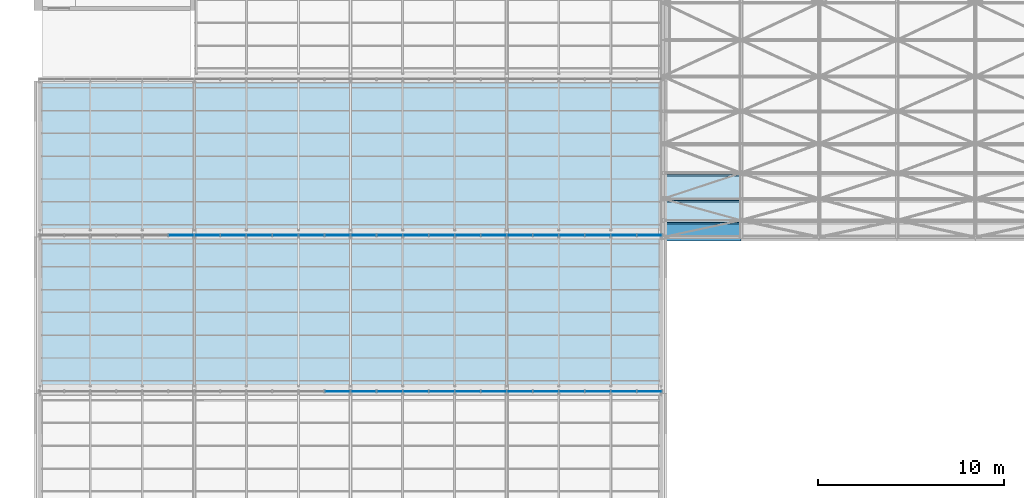
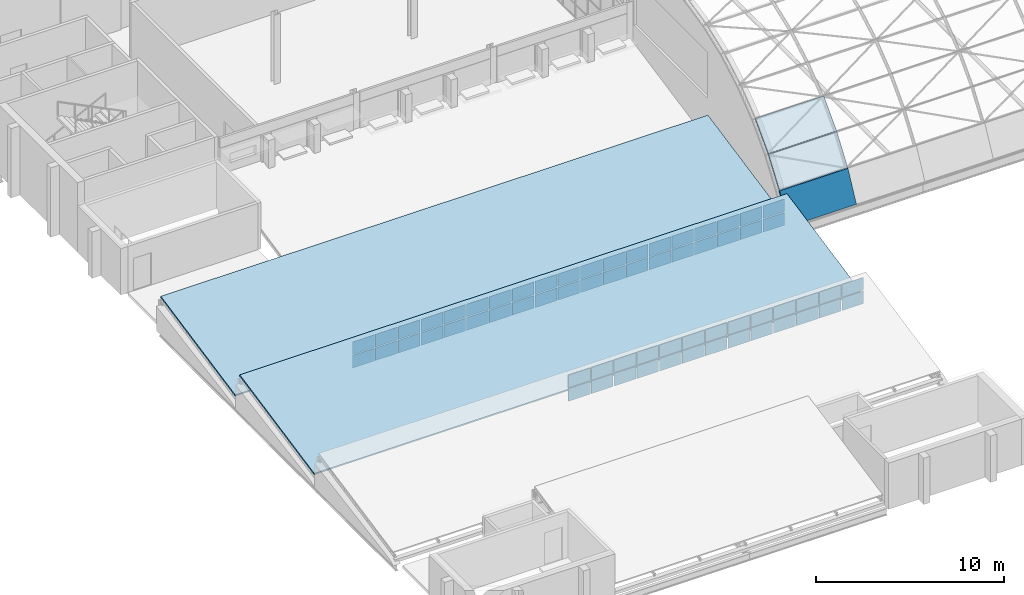
# One storey, part 69 of 121: 67 plates, 2 slabs, 2 elements without a shape of their own.
"""IFC4 building model written with IfcOpenShell, lengths in metres."""

from ifc_helpers import new_model, si_unit, direction, frame, origin, origin_2d, place, context, subcontext, project, spatial, polyline, rectangle, outline, extrude, material, layer, layer_set, type_object, element, aggregate, save


model = new_model("IFC4")

# Units and contexts
model_context = context("Model", 3, precision=1e-05, world=origin(), true_north=direction((0.0, 1.0)))
body_context = subcontext(model_context, "Body", "Model", "MODEL_VIEW")
ifc_project = project(units=[si_unit("LENGTHUNIT", "METRE"), si_unit("AREAUNIT", "SQUARE_METRE"), si_unit("VOLUMEUNIT", "CUBIC_METRE"), si_unit("PLANEANGLEUNIT", "RADIAN"), si_unit("MASSUNIT", "GRAM", prefix="KILO")], contexts=[model_context])

# Site, building, storey
site_placement = place(None, origin())
site = spatial("IfcSite", under=ifc_project, at=site_placement, CompositionType="ELEMENT")
building_placement = place(site_placement, origin())
building = spatial("IfcBuilding", under=site, at=building_placement, Name="Ardhachandra Cancer Care Centre", CompositionType="ELEMENT")
storey_placement = place(building_placement, frame((0.0, 0.0, 9.0)))
storey = spatial("IfcBuildingStorey", under=building, at=storey_placement, Name="L02", CompositionType="ELEMENT", Elevation=9.0)

# Curtain wall, plates
ifc_material_1 = material(Name="Aluminium extrusion", Category="aluminium")
ifc_layer_1 = layer(ifc_material_1, 0.14990234375)
ifc_layer_set_1 = layer_set([ifc_layer_1], Name="Aluminium extrusion")
curtain_wall_type = type_object("IfcCurtainWallType", Name="Curtain wall run", PredefinedType="NOTDEFINED", material=ifc_layer_set_1)
curtain_wall_1_placement = place(storey_placement, origin())
curtain_wall_1 = element("IfcCurtainWall", 1, at=curtain_wall_1_placement, inside=storey, type_object=curtain_wall_type, Name="Curtain wall L02 n/0010800_0046300", PredefinedType="NOTDEFINED")
ifc_material_2 = material(Name="Low-iron double-glazed unit")
ifc_layer_2 = layer(ifc_material_2, 0.028076171875)
ifc_layer_set_2 = layer_set([ifc_layer_2], Name="Low-iron double-glazed unit")
plate_type_1 = type_object("IfcPlateType", Name="Curtain wall glazing 28", PredefinedType="CURTAIN_PANEL", material=ifc_layer_set_2)
plate_1_placement = place(storey_placement, frame((26.89990234375, 46.300048828125, 0.93994140625), z_axis=(0.0, 0.0, 1.0), x_axis=(1.0, 0.0, 0.0)))
plate_1 = element("IfcPlate", 2, at=plate_1_placement, type_object=plate_type_1, Name="CW panel 12.2", PredefinedType="CURTAIN_PANEL", context=body_context, shape_type="SweptSolid", body=[
    extrude(rectangle(XDim=1.340087890625, YDim=0.028076171875, at=origin_2d()), origin(), (0.0, 0.0, 1.0), 0.820068359375),
])
plate_2_placement = place(storey_placement, frame((28.300048828125, 46.300048828125, 0.93994140625), z_axis=(0.0, 0.0, 1.0), x_axis=(1.0, 0.0, 0.0)))
plate_2 = element("IfcPlate", 3, at=plate_2_placement, type_object=plate_type_1, Name="CW panel 13.2", PredefinedType="CURTAIN_PANEL", context=body_context, shape_type="SweptSolid", body=[
    extrude(rectangle(XDim=1.340087890625, YDim=0.028076171875, at=origin_2d()), origin(), (0.0, 0.0, 1.0), 0.820068359375),
])
plate_3_placement = place(storey_placement, frame((29.699951171875, 46.300048828125, 0.93994140625), z_axis=(0.0, 0.0, 1.0), x_axis=(1.0, 0.0, 0.0)))
plate_3 = element("IfcPlate", 4, at=plate_3_placement, type_object=plate_type_1, Name="CW panel 14.2", PredefinedType="CURTAIN_PANEL", context=body_context, shape_type="SweptSolid", body=[
    extrude(rectangle(XDim=1.340087890625, YDim=0.028076171875, at=origin_2d()), origin(), (0.0, 0.0, 1.0), 0.820068359375),
])
plate_4_placement = place(storey_placement, frame((31.10009765625, 46.300048828125, 0.93994140625), z_axis=(0.0, 0.0, 1.0), x_axis=(1.0, 0.0, 0.0)))
plate_4 = element("IfcPlate", 5, at=plate_4_placement, type_object=plate_type_1, Name="CW panel 15.2", PredefinedType="CURTAIN_PANEL", context=body_context, shape_type="SweptSolid", body=[
    extrude(rectangle(XDim=1.340087890625, YDim=0.028076171875, at=origin_2d()), origin(), (0.0, 0.0, 1.0), 0.820068359375),
])
plate_5_placement = place(storey_placement, frame((32.5, 46.300048828125, 0.93994140625), z_axis=(0.0, 0.0, 1.0), x_axis=(1.0, 0.0, 0.0)))
plate_5 = element("IfcPlate", 6, at=plate_5_placement, type_object=plate_type_1, Name="CW panel 16.2", PredefinedType="CURTAIN_PANEL", context=body_context, shape_type="SweptSolid", body=[
    extrude(rectangle(XDim=1.340087890625, YDim=0.028076171875, at=origin_2d()), origin(), (0.0, 0.0, 1.0), 0.820068359375),
])
plate_6_placement = place(storey_placement, frame((33.89990234375, 46.300048828125, 0.93994140625), z_axis=(0.0, 0.0, 1.0), x_axis=(1.0, 0.0, 0.0)))
plate_6 = element("IfcPlate", 7, at=plate_6_placement, type_object=plate_type_1, Name="CW panel 17.2", PredefinedType="CURTAIN_PANEL", context=body_context, shape_type="SweptSolid", body=[
    extrude(rectangle(XDim=1.340087890625, YDim=0.028076171875, at=origin_2d()), origin(), (0.0, 0.0, 1.0), 0.820068359375),
])
plate_7_placement = place(storey_placement, frame((35.300048828125, 46.300048828125, 0.93994140625), z_axis=(0.0, 0.0, 1.0), x_axis=(1.0, 0.0, 0.0)))
plate_7 = element("IfcPlate", 8, at=plate_7_placement, type_object=plate_type_1, Name="CW panel 18.2", PredefinedType="CURTAIN_PANEL", context=body_context, shape_type="SweptSolid", body=[
    extrude(rectangle(XDim=1.340087890625, YDim=0.028076171875, at=origin_2d()), origin(), (0.0, 0.0, 1.0), 0.820068359375),
])
plate_8_placement = place(storey_placement, frame((36.699951171875, 46.300048828125, 0.93994140625), z_axis=(0.0, 0.0, 1.0), x_axis=(1.0, 0.0, 0.0)))
plate_8 = element("IfcPlate", 9, at=plate_8_placement, type_object=plate_type_1, Name="CW panel 19.2", PredefinedType="CURTAIN_PANEL", context=body_context, shape_type="SweptSolid", body=[
    extrude(rectangle(XDim=1.340087890625, YDim=0.028076171875, at=origin_2d()), origin(), (0.0, 0.0, 1.0), 0.820068359375),
])
plate_9_placement = place(storey_placement, frame((38.10009765625, 46.300048828125, 0.93994140625), z_axis=(0.0, 0.0, 1.0), x_axis=(1.0, 0.0, 0.0)))
plate_9 = element("IfcPlate", 10, at=plate_9_placement, type_object=plate_type_1, Name="CW panel 20.2", PredefinedType="CURTAIN_PANEL", context=body_context, shape_type="SweptSolid", body=[
    extrude(rectangle(XDim=1.340087890625, YDim=0.028076171875, at=origin_2d()), origin(), (0.0, 0.0, 1.0), 0.820068359375),
])
plate_10_placement = place(storey_placement, frame((39.5, 46.300048828125, 0.93994140625), z_axis=(0.0, 0.0, 1.0), x_axis=(1.0, 0.0, 0.0)))
plate_10 = element("IfcPlate", 11, at=plate_10_placement, type_object=plate_type_1, Name="CW panel 21.2", PredefinedType="CURTAIN_PANEL", context=body_context, shape_type="SweptSolid", body=[
    extrude(rectangle(XDim=1.340087890625, YDim=0.028076171875, at=origin_2d()), origin(), (0.0, 0.0, 1.0), 0.820068359375),
])
plate_11_placement = place(storey_placement, frame((40.89990234375, 46.300048828125, 0.93994140625), z_axis=(0.0, 0.0, 1.0), x_axis=(1.0, 0.0, 0.0)))
plate_11 = element("IfcPlate", 12, at=plate_11_placement, type_object=plate_type_1, Name="CW panel 22.2", PredefinedType="CURTAIN_PANEL", context=body_context, shape_type="SweptSolid", body=[
    extrude(rectangle(XDim=1.340087890625, YDim=0.028076171875, at=origin_2d()), origin(), (0.0, 0.0, 1.0), 0.820068359375),
])
plate_12_placement = place(storey_placement, frame((42.300048828125, 46.300048828125, 0.93994140625), z_axis=(0.0, 0.0, 1.0), x_axis=(1.0, 0.0, 0.0)))
plate_12 = element("IfcPlate", 13, at=plate_12_placement, type_object=plate_type_1, Name="CW panel 23.2", PredefinedType="CURTAIN_PANEL", context=body_context, shape_type="SweptSolid", body=[
    extrude(rectangle(XDim=1.340087890625, YDim=0.028076171875, at=origin_2d()), origin(), (0.0, 0.0, 1.0), 0.820068359375),
])
plate_13_placement = place(storey_placement, frame((43.68505859375, 46.300048828125, 0.93994140625), z_axis=(0.0, 0.0, 1.0), x_axis=(1.0, 0.0, 0.0)))
plate_13 = element("IfcPlate", 14, at=plate_13_placement, type_object=plate_type_1, Name="CW panel 24.2", PredefinedType="CURTAIN_PANEL", context=body_context, shape_type="SweptSolid", body=[
    extrude(rectangle(XDim=1.31005859375, YDim=0.028076171875, at=origin_2d()), origin(), (0.0, 0.0, 1.0), 0.820068359375),
])

curtain_wall_2_placement = place(storey_placement, origin())
curtain_wall_2 = element("IfcCurtainWall", 15, at=curtain_wall_2_placement, inside=storey, type_object=curtain_wall_type, Name="Curtain wall L02 n/0010800_0054700", PredefinedType="NOTDEFINED")
plate_14_placement = place(storey_placement, frame((18.5, 54.699951171875, 0.93994140625), z_axis=(0.0, 0.0, 1.0), x_axis=(1.0, 0.0, 0.0)))
plate_14 = element("IfcPlate", 16, at=plate_14_placement, type_object=plate_type_1, Name="CW panel 6.2", PredefinedType="CURTAIN_PANEL", context=body_context, shape_type="SweptSolid", body=[
    extrude(rectangle(XDim=1.340087890625, YDim=0.028076171875, at=origin_2d()), origin(), (0.0, 0.0, 1.0), 0.820068359375),
])
plate_15_placement = place(storey_placement, frame((19.89990234375, 54.699951171875, 0.93994140625), z_axis=(0.0, 0.0, 1.0), x_axis=(1.0, 0.0, 0.0)))
plate_15 = element("IfcPlate", 17, at=plate_15_placement, type_object=plate_type_1, Name="CW panel 7.2", PredefinedType="CURTAIN_PANEL", context=body_context, shape_type="SweptSolid", body=[
    extrude(rectangle(XDim=1.340087890625, YDim=0.028076171875, at=origin_2d()), origin(), (0.0, 0.0, 1.0), 0.820068359375),
])
plate_16_placement = place(storey_placement, frame((21.300048828125, 54.699951171875, 0.93994140625), z_axis=(0.0, 0.0, 1.0), x_axis=(1.0, 0.0, 0.0)))
plate_16 = element("IfcPlate", 18, at=plate_16_placement, type_object=plate_type_1, Name="CW panel 8.2", PredefinedType="CURTAIN_PANEL", context=body_context, shape_type="SweptSolid", body=[
    extrude(rectangle(XDim=1.340087890625, YDim=0.028076171875, at=origin_2d()), origin(), (0.0, 0.0, 1.0), 0.820068359375),
])
plate_17_placement = place(storey_placement, frame((22.699951171875, 54.699951171875, 0.93994140625), z_axis=(0.0, 0.0, 1.0), x_axis=(1.0, 0.0, 0.0)))
plate_17 = element("IfcPlate", 19, at=plate_17_placement, type_object=plate_type_1, Name="CW panel 9.2", PredefinedType="CURTAIN_PANEL", context=body_context, shape_type="SweptSolid", body=[
    extrude(rectangle(XDim=1.340087890625, YDim=0.028076171875, at=origin_2d()), origin(), (0.0, 0.0, 1.0), 0.820068359375),
])
plate_18_placement = place(storey_placement, frame((24.10009765625, 54.699951171875, 0.93994140625), z_axis=(0.0, 0.0, 1.0), x_axis=(1.0, 0.0, 0.0)))
plate_18 = element("IfcPlate", 20, at=plate_18_placement, type_object=plate_type_1, Name="CW panel 10.2", PredefinedType="CURTAIN_PANEL", context=body_context, shape_type="SweptSolid", body=[
    extrude(rectangle(XDim=1.340087890625, YDim=0.028076171875, at=origin_2d()), origin(), (0.0, 0.0, 1.0), 0.820068359375),
])
plate_19_placement = place(storey_placement, frame((25.5, 54.699951171875, 0.93994140625), z_axis=(0.0, 0.0, 1.0), x_axis=(1.0, 0.0, 0.0)))
plate_19 = element("IfcPlate", 21, at=plate_19_placement, type_object=plate_type_1, Name="CW panel 11.2", PredefinedType="CURTAIN_PANEL", context=body_context, shape_type="SweptSolid", body=[
    extrude(rectangle(XDim=1.340087890625, YDim=0.028076171875, at=origin_2d()), origin(), (0.0, 0.0, 1.0), 0.820068359375),
])
plate_20_placement = place(storey_placement, frame((26.89990234375, 54.699951171875, 0.93994140625), z_axis=(0.0, 0.0, 1.0), x_axis=(1.0, 0.0, 0.0)))
plate_20 = element("IfcPlate", 22, at=plate_20_placement, type_object=plate_type_1, Name="CW panel 12.2", PredefinedType="CURTAIN_PANEL", context=body_context, shape_type="SweptSolid", body=[
    extrude(rectangle(XDim=1.340087890625, YDim=0.028076171875, at=origin_2d()), origin(), (0.0, 0.0, 1.0), 0.820068359375),
])
plate_21_placement = place(storey_placement, frame((28.300048828125, 54.699951171875, 0.93994140625), z_axis=(0.0, 0.0, 1.0), x_axis=(1.0, 0.0, 0.0)))
plate_21 = element("IfcPlate", 23, at=plate_21_placement, type_object=plate_type_1, Name="CW panel 13.2", PredefinedType="CURTAIN_PANEL", context=body_context, shape_type="SweptSolid", body=[
    extrude(rectangle(XDim=1.340087890625, YDim=0.028076171875, at=origin_2d()), origin(), (0.0, 0.0, 1.0), 0.820068359375),
])
plate_22_placement = place(storey_placement, frame((29.699951171875, 54.699951171875, 0.93994140625), z_axis=(0.0, 0.0, 1.0), x_axis=(1.0, 0.0, 0.0)))
plate_22 = element("IfcPlate", 24, at=plate_22_placement, type_object=plate_type_1, Name="CW panel 14.2", PredefinedType="CURTAIN_PANEL", context=body_context, shape_type="SweptSolid", body=[
    extrude(rectangle(XDim=1.340087890625, YDim=0.028076171875, at=origin_2d()), origin(), (0.0, 0.0, 1.0), 0.820068359375),
])
plate_23_placement = place(storey_placement, frame((31.10009765625, 54.699951171875, 0.93994140625), z_axis=(0.0, 0.0, 1.0), x_axis=(1.0, 0.0, 0.0)))
plate_23 = element("IfcPlate", 25, at=plate_23_placement, type_object=plate_type_1, Name="CW panel 15.2", PredefinedType="CURTAIN_PANEL", context=body_context, shape_type="SweptSolid", body=[
    extrude(rectangle(XDim=1.340087890625, YDim=0.028076171875, at=origin_2d()), origin(), (0.0, 0.0, 1.0), 0.820068359375),
])
plate_24_placement = place(storey_placement, frame((32.5, 54.699951171875, 0.93994140625), z_axis=(0.0, 0.0, 1.0), x_axis=(1.0, 0.0, 0.0)))
plate_24 = element("IfcPlate", 26, at=plate_24_placement, type_object=plate_type_1, Name="CW panel 16.2", PredefinedType="CURTAIN_PANEL", context=body_context, shape_type="SweptSolid", body=[
    extrude(rectangle(XDim=1.340087890625, YDim=0.028076171875, at=origin_2d()), origin(), (0.0, 0.0, 1.0), 0.820068359375),
])
plate_25_placement = place(storey_placement, frame((33.89990234375, 54.699951171875, 0.93994140625), z_axis=(0.0, 0.0, 1.0), x_axis=(1.0, 0.0, 0.0)))
plate_25 = element("IfcPlate", 27, at=plate_25_placement, type_object=plate_type_1, Name="CW panel 17.2", PredefinedType="CURTAIN_PANEL", context=body_context, shape_type="SweptSolid", body=[
    extrude(rectangle(XDim=1.340087890625, YDim=0.028076171875, at=origin_2d()), origin(), (0.0, 0.0, 1.0), 0.820068359375),
])
plate_26_placement = place(storey_placement, frame((35.300048828125, 54.699951171875, 0.93994140625), z_axis=(0.0, 0.0, 1.0), x_axis=(1.0, 0.0, 0.0)))
plate_26 = element("IfcPlate", 28, at=plate_26_placement, type_object=plate_type_1, Name="CW panel 18.2", PredefinedType="CURTAIN_PANEL", context=body_context, shape_type="SweptSolid", body=[
    extrude(rectangle(XDim=1.340087890625, YDim=0.028076171875, at=origin_2d()), origin(), (0.0, 0.0, 1.0), 0.820068359375),
])
plate_27_placement = place(storey_placement, frame((36.699951171875, 54.699951171875, 0.93994140625), z_axis=(0.0, 0.0, 1.0), x_axis=(1.0, 0.0, 0.0)))
plate_27 = element("IfcPlate", 29, at=plate_27_placement, type_object=plate_type_1, Name="CW panel 19.2", PredefinedType="CURTAIN_PANEL", context=body_context, shape_type="SweptSolid", body=[
    extrude(rectangle(XDim=1.340087890625, YDim=0.028076171875, at=origin_2d()), origin(), (0.0, 0.0, 1.0), 0.820068359375),
])
plate_28_placement = place(storey_placement, frame((38.10009765625, 54.699951171875, 0.93994140625), z_axis=(0.0, 0.0, 1.0), x_axis=(1.0, 0.0, 0.0)))
plate_28 = element("IfcPlate", 30, at=plate_28_placement, type_object=plate_type_1, Name="CW panel 20.2", PredefinedType="CURTAIN_PANEL", context=body_context, shape_type="SweptSolid", body=[
    extrude(rectangle(XDim=1.340087890625, YDim=0.028076171875, at=origin_2d()), origin(), (0.0, 0.0, 1.0), 0.820068359375),
])
plate_29_placement = place(storey_placement, frame((39.5, 54.699951171875, 0.93994140625), z_axis=(0.0, 0.0, 1.0), x_axis=(1.0, 0.0, 0.0)))
plate_29 = element("IfcPlate", 31, at=plate_29_placement, type_object=plate_type_1, Name="CW panel 21.2", PredefinedType="CURTAIN_PANEL", context=body_context, shape_type="SweptSolid", body=[
    extrude(rectangle(XDim=1.340087890625, YDim=0.028076171875, at=origin_2d()), origin(), (0.0, 0.0, 1.0), 0.820068359375),
])
plate_30_placement = place(storey_placement, frame((40.89990234375, 54.699951171875, 0.93994140625), z_axis=(0.0, 0.0, 1.0), x_axis=(1.0, 0.0, 0.0)))
plate_30 = element("IfcPlate", 32, at=plate_30_placement, type_object=plate_type_1, Name="CW panel 22.2", PredefinedType="CURTAIN_PANEL", context=body_context, shape_type="SweptSolid", body=[
    extrude(rectangle(XDim=1.340087890625, YDim=0.028076171875, at=origin_2d()), origin(), (0.0, 0.0, 1.0), 0.820068359375),
])
plate_31_placement = place(storey_placement, frame((42.300048828125, 54.699951171875, 0.93994140625), z_axis=(0.0, 0.0, 1.0), x_axis=(1.0, 0.0, 0.0)))
plate_31 = element("IfcPlate", 33, at=plate_31_placement, type_object=plate_type_1, Name="CW panel 23.2", PredefinedType="CURTAIN_PANEL", context=body_context, shape_type="SweptSolid", body=[
    extrude(rectangle(XDim=1.340087890625, YDim=0.028076171875, at=origin_2d()), origin(), (0.0, 0.0, 1.0), 0.820068359375),
])
plate_32_placement = place(storey_placement, frame((43.68505859375, 54.699951171875, 0.93994140625), z_axis=(0.0, 0.0, 1.0), x_axis=(1.0, 0.0, 0.0)))
plate_32 = element("IfcPlate", 34, at=plate_32_placement, type_object=plate_type_1, Name="CW panel 24.2", PredefinedType="CURTAIN_PANEL", context=body_context, shape_type="SweptSolid", body=[
    extrude(rectangle(XDim=1.31005859375, YDim=0.028076171875, at=origin_2d()), origin(), (0.0, 0.0, 1.0), 0.820068359375),
])

# Plate
ifc_material_3 = material(Name="Aluminium composite spandrel panel", Category="aluminium")
ifc_layer_3 = layer(ifc_material_3, 0.028076171875)
ifc_layer_set_3 = layer_set([ifc_layer_3], Name="Aluminium composite spandrel panel")
plate_type_2 = type_object("IfcPlateType", Name="Curtain wall spandrel panel 28", PredefinedType="CURTAIN_PANEL", material=ifc_layer_set_3)
plate_33_placement = place(storey_placement, frame((26.89990234375, 46.300048828125, 0.06005859375), z_axis=(0.0, 0.0, 1.0), x_axis=(1.0, 0.0, 0.0)))
plate_33 = element("IfcPlate", 35, at=plate_33_placement, type_object=plate_type_2, Name="CW panel 12.1", PredefinedType="CURTAIN_PANEL", context=body_context, shape_type="SweptSolid", body=[
    extrude(rectangle(XDim=1.340087890625, YDim=0.028076171875, at=origin_2d()), origin(), (0.0, 0.0, 1.0), 0.820068359375),
])

plate_34_placement = place(storey_placement, frame((28.300048828125, 46.300048828125, 0.06005859375), z_axis=(0.0, 0.0, 1.0), x_axis=(1.0, 0.0, 0.0)))
plate_34 = element("IfcPlate", 36, at=plate_34_placement, type_object=plate_type_2, Name="CW panel 13.1", PredefinedType="CURTAIN_PANEL", context=body_context, shape_type="SweptSolid", body=[
    extrude(rectangle(XDim=1.340087890625, YDim=0.028076171875, at=origin_2d()), origin(), (0.0, 0.0, 1.0), 0.820068359375),
])

plate_35_placement = place(storey_placement, frame((29.699951171875, 46.300048828125, 0.06005859375), z_axis=(0.0, 0.0, 1.0), x_axis=(1.0, 0.0, 0.0)))
plate_35 = element("IfcPlate", 37, at=plate_35_placement, type_object=plate_type_2, Name="CW panel 14.1", PredefinedType="CURTAIN_PANEL", context=body_context, shape_type="SweptSolid", body=[
    extrude(rectangle(XDim=1.340087890625, YDim=0.028076171875, at=origin_2d()), origin(), (0.0, 0.0, 1.0), 0.820068359375),
])

plate_36_placement = place(storey_placement, frame((31.10009765625, 46.300048828125, 0.06005859375), z_axis=(0.0, 0.0, 1.0), x_axis=(1.0, 0.0, 0.0)))
plate_36 = element("IfcPlate", 38, at=plate_36_placement, type_object=plate_type_2, Name="CW panel 15.1", PredefinedType="CURTAIN_PANEL", context=body_context, shape_type="SweptSolid", body=[
    extrude(rectangle(XDim=1.340087890625, YDim=0.028076171875, at=origin_2d()), origin(), (0.0, 0.0, 1.0), 0.820068359375),
])

plate_37_placement = place(storey_placement, frame((32.5, 46.300048828125, 0.06005859375), z_axis=(0.0, 0.0, 1.0), x_axis=(1.0, 0.0, 0.0)))
plate_37 = element("IfcPlate", 39, at=plate_37_placement, type_object=plate_type_2, Name="CW panel 16.1", PredefinedType="CURTAIN_PANEL", context=body_context, shape_type="SweptSolid", body=[
    extrude(rectangle(XDim=1.340087890625, YDim=0.028076171875, at=origin_2d()), origin(), (0.0, 0.0, 1.0), 0.820068359375),
])

plate_38_placement = place(storey_placement, frame((33.89990234375, 46.300048828125, 0.06005859375), z_axis=(0.0, 0.0, 1.0), x_axis=(1.0, 0.0, 0.0)))
plate_38 = element("IfcPlate", 40, at=plate_38_placement, type_object=plate_type_2, Name="CW panel 17.1", PredefinedType="CURTAIN_PANEL", context=body_context, shape_type="SweptSolid", body=[
    extrude(rectangle(XDim=1.340087890625, YDim=0.028076171875, at=origin_2d()), origin(), (0.0, 0.0, 1.0), 0.820068359375),
])

plate_39_placement = place(storey_placement, frame((35.300048828125, 46.300048828125, 0.06005859375), z_axis=(0.0, 0.0, 1.0), x_axis=(1.0, 0.0, 0.0)))
plate_39 = element("IfcPlate", 41, at=plate_39_placement, type_object=plate_type_2, Name="CW panel 18.1", PredefinedType="CURTAIN_PANEL", context=body_context, shape_type="SweptSolid", body=[
    extrude(rectangle(XDim=1.340087890625, YDim=0.028076171875, at=origin_2d()), origin(), (0.0, 0.0, 1.0), 0.820068359375),
])

plate_40_placement = place(storey_placement, frame((36.699951171875, 46.300048828125, 0.06005859375), z_axis=(0.0, 0.0, 1.0), x_axis=(1.0, 0.0, 0.0)))
plate_40 = element("IfcPlate", 42, at=plate_40_placement, type_object=plate_type_2, Name="CW panel 19.1", PredefinedType="CURTAIN_PANEL", context=body_context, shape_type="SweptSolid", body=[
    extrude(rectangle(XDim=1.340087890625, YDim=0.028076171875, at=origin_2d()), origin(), (0.0, 0.0, 1.0), 0.820068359375),
])

plate_41_placement = place(storey_placement, frame((38.10009765625, 46.300048828125, 0.06005859375), z_axis=(0.0, 0.0, 1.0), x_axis=(1.0, 0.0, 0.0)))
plate_41 = element("IfcPlate", 43, at=plate_41_placement, type_object=plate_type_2, Name="CW panel 20.1", PredefinedType="CURTAIN_PANEL", context=body_context, shape_type="SweptSolid", body=[
    extrude(rectangle(XDim=1.340087890625, YDim=0.028076171875, at=origin_2d()), origin(), (0.0, 0.0, 1.0), 0.820068359375),
])

plate_42_placement = place(storey_placement, frame((39.5, 46.300048828125, 0.06005859375), z_axis=(0.0, 0.0, 1.0), x_axis=(1.0, 0.0, 0.0)))
plate_42 = element("IfcPlate", 44, at=plate_42_placement, type_object=plate_type_2, Name="CW panel 21.1", PredefinedType="CURTAIN_PANEL", context=body_context, shape_type="SweptSolid", body=[
    extrude(rectangle(XDim=1.340087890625, YDim=0.028076171875, at=origin_2d()), origin(), (0.0, 0.0, 1.0), 0.820068359375),
])

plate_43_placement = place(storey_placement, frame((40.89990234375, 46.300048828125, 0.06005859375), z_axis=(0.0, 0.0, 1.0), x_axis=(1.0, 0.0, 0.0)))
plate_43 = element("IfcPlate", 45, at=plate_43_placement, type_object=plate_type_2, Name="CW panel 22.1", PredefinedType="CURTAIN_PANEL", context=body_context, shape_type="SweptSolid", body=[
    extrude(rectangle(XDim=1.340087890625, YDim=0.028076171875, at=origin_2d()), origin(), (0.0, 0.0, 1.0), 0.820068359375),
])

plate_44_placement = place(storey_placement, frame((42.300048828125, 46.300048828125, 0.06005859375), z_axis=(0.0, 0.0, 1.0), x_axis=(1.0, 0.0, 0.0)))
plate_44 = element("IfcPlate", 46, at=plate_44_placement, type_object=plate_type_2, Name="CW panel 23.1", PredefinedType="CURTAIN_PANEL", context=body_context, shape_type="SweptSolid", body=[
    extrude(rectangle(XDim=1.340087890625, YDim=0.028076171875, at=origin_2d()), origin(), (0.0, 0.0, 1.0), 0.820068359375),
])

plate_45_placement = place(storey_placement, frame((43.68505859375, 46.300048828125, 0.06005859375), z_axis=(0.0, 0.0, 1.0), x_axis=(1.0, 0.0, 0.0)))
plate_45 = element("IfcPlate", 47, at=plate_45_placement, type_object=plate_type_2, Name="CW panel 24.1", PredefinedType="CURTAIN_PANEL", context=body_context, shape_type="SweptSolid", body=[
    extrude(rectangle(XDim=1.31005859375, YDim=0.028076171875, at=origin_2d()), origin(), (0.0, 0.0, 1.0), 0.820068359375),
])

aggregate(curtain_wall_1, [plate_33, plate_1, plate_34, plate_2, plate_35, plate_3, plate_36, plate_4, plate_37, plate_5, plate_38, plate_6, plate_39, plate_7, plate_40, plate_8, plate_41, plate_9, plate_42, plate_10, plate_43, plate_11, plate_44, plate_12, plate_45, plate_13])

plate_46_placement = place(storey_placement, frame((18.5, 54.699951171875, 0.06005859375), z_axis=(0.0, 0.0, 1.0), x_axis=(1.0, 0.0, 0.0)))
plate_46 = element("IfcPlate", 48, at=plate_46_placement, type_object=plate_type_2, Name="CW panel 6.1", PredefinedType="CURTAIN_PANEL", context=body_context, shape_type="SweptSolid", body=[
    extrude(rectangle(XDim=1.340087890625, YDim=0.028076171875, at=origin_2d()), origin(), (0.0, 0.0, 1.0), 0.820068359375),
])

plate_47_placement = place(storey_placement, frame((19.89990234375, 54.699951171875, 0.06005859375), z_axis=(0.0, 0.0, 1.0), x_axis=(1.0, 0.0, 0.0)))
plate_47 = element("IfcPlate", 49, at=plate_47_placement, type_object=plate_type_2, Name="CW panel 7.1", PredefinedType="CURTAIN_PANEL", context=body_context, shape_type="SweptSolid", body=[
    extrude(rectangle(XDim=1.340087890625, YDim=0.028076171875, at=origin_2d()), origin(), (0.0, 0.0, 1.0), 0.820068359375),
])

plate_48_placement = place(storey_placement, frame((21.300048828125, 54.699951171875, 0.06005859375), z_axis=(0.0, 0.0, 1.0), x_axis=(1.0, 0.0, 0.0)))
plate_48 = element("IfcPlate", 50, at=plate_48_placement, type_object=plate_type_2, Name="CW panel 8.1", PredefinedType="CURTAIN_PANEL", context=body_context, shape_type="SweptSolid", body=[
    extrude(rectangle(XDim=1.340087890625, YDim=0.028076171875, at=origin_2d()), origin(), (0.0, 0.0, 1.0), 0.820068359375),
])

plate_49_placement = place(storey_placement, frame((22.699951171875, 54.699951171875, 0.06005859375), z_axis=(0.0, 0.0, 1.0), x_axis=(1.0, 0.0, 0.0)))
plate_49 = element("IfcPlate", 51, at=plate_49_placement, type_object=plate_type_2, Name="CW panel 9.1", PredefinedType="CURTAIN_PANEL", context=body_context, shape_type="SweptSolid", body=[
    extrude(rectangle(XDim=1.340087890625, YDim=0.028076171875, at=origin_2d()), origin(), (0.0, 0.0, 1.0), 0.820068359375),
])

plate_50_placement = place(storey_placement, frame((24.10009765625, 54.699951171875, 0.06005859375), z_axis=(0.0, 0.0, 1.0), x_axis=(1.0, 0.0, 0.0)))
plate_50 = element("IfcPlate", 52, at=plate_50_placement, type_object=plate_type_2, Name="CW panel 10.1", PredefinedType="CURTAIN_PANEL", context=body_context, shape_type="SweptSolid", body=[
    extrude(rectangle(XDim=1.340087890625, YDim=0.028076171875, at=origin_2d()), origin(), (0.0, 0.0, 1.0), 0.820068359375),
])

plate_51_placement = place(storey_placement, frame((25.5, 54.699951171875, 0.06005859375), z_axis=(0.0, 0.0, 1.0), x_axis=(1.0, 0.0, 0.0)))
plate_51 = element("IfcPlate", 53, at=plate_51_placement, type_object=plate_type_2, Name="CW panel 11.1", PredefinedType="CURTAIN_PANEL", context=body_context, shape_type="SweptSolid", body=[
    extrude(rectangle(XDim=1.340087890625, YDim=0.028076171875, at=origin_2d()), origin(), (0.0, 0.0, 1.0), 0.820068359375),
])

plate_52_placement = place(storey_placement, frame((26.89990234375, 54.699951171875, 0.06005859375), z_axis=(0.0, 0.0, 1.0), x_axis=(1.0, 0.0, 0.0)))
plate_52 = element("IfcPlate", 54, at=plate_52_placement, type_object=plate_type_2, Name="CW panel 12.1", PredefinedType="CURTAIN_PANEL", context=body_context, shape_type="SweptSolid", body=[
    extrude(rectangle(XDim=1.340087890625, YDim=0.028076171875, at=origin_2d()), origin(), (0.0, 0.0, 1.0), 0.820068359375),
])

plate_53_placement = place(storey_placement, frame((28.300048828125, 54.699951171875, 0.06005859375), z_axis=(0.0, 0.0, 1.0), x_axis=(1.0, 0.0, 0.0)))
plate_53 = element("IfcPlate", 55, at=plate_53_placement, type_object=plate_type_2, Name="CW panel 13.1", PredefinedType="CURTAIN_PANEL", context=body_context, shape_type="SweptSolid", body=[
    extrude(rectangle(XDim=1.340087890625, YDim=0.028076171875, at=origin_2d()), origin(), (0.0, 0.0, 1.0), 0.820068359375),
])

plate_54_placement = place(storey_placement, frame((29.699951171875, 54.699951171875, 0.06005859375), z_axis=(0.0, 0.0, 1.0), x_axis=(1.0, 0.0, 0.0)))
plate_54 = element("IfcPlate", 56, at=plate_54_placement, type_object=plate_type_2, Name="CW panel 14.1", PredefinedType="CURTAIN_PANEL", context=body_context, shape_type="SweptSolid", body=[
    extrude(rectangle(XDim=1.340087890625, YDim=0.028076171875, at=origin_2d()), origin(), (0.0, 0.0, 1.0), 0.820068359375),
])

plate_55_placement = place(storey_placement, frame((31.10009765625, 54.699951171875, 0.06005859375), z_axis=(0.0, 0.0, 1.0), x_axis=(1.0, 0.0, 0.0)))
plate_55 = element("IfcPlate", 57, at=plate_55_placement, type_object=plate_type_2, Name="CW panel 15.1", PredefinedType="CURTAIN_PANEL", context=body_context, shape_type="SweptSolid", body=[
    extrude(rectangle(XDim=1.340087890625, YDim=0.028076171875, at=origin_2d()), origin(), (0.0, 0.0, 1.0), 0.820068359375),
])

plate_56_placement = place(storey_placement, frame((32.5, 54.699951171875, 0.06005859375), z_axis=(0.0, 0.0, 1.0), x_axis=(1.0, 0.0, 0.0)))
plate_56 = element("IfcPlate", 58, at=plate_56_placement, type_object=plate_type_2, Name="CW panel 16.1", PredefinedType="CURTAIN_PANEL", context=body_context, shape_type="SweptSolid", body=[
    extrude(rectangle(XDim=1.340087890625, YDim=0.028076171875, at=origin_2d()), origin(), (0.0, 0.0, 1.0), 0.820068359375),
])

plate_57_placement = place(storey_placement, frame((33.89990234375, 54.699951171875, 0.06005859375), z_axis=(0.0, 0.0, 1.0), x_axis=(1.0, 0.0, 0.0)))
plate_57 = element("IfcPlate", 59, at=plate_57_placement, type_object=plate_type_2, Name="CW panel 17.1", PredefinedType="CURTAIN_PANEL", context=body_context, shape_type="SweptSolid", body=[
    extrude(rectangle(XDim=1.340087890625, YDim=0.028076171875, at=origin_2d()), origin(), (0.0, 0.0, 1.0), 0.820068359375),
])

plate_58_placement = place(storey_placement, frame((35.300048828125, 54.699951171875, 0.06005859375), z_axis=(0.0, 0.0, 1.0), x_axis=(1.0, 0.0, 0.0)))
plate_58 = element("IfcPlate", 60, at=plate_58_placement, type_object=plate_type_2, Name="CW panel 18.1", PredefinedType="CURTAIN_PANEL", context=body_context, shape_type="SweptSolid", body=[
    extrude(rectangle(XDim=1.340087890625, YDim=0.028076171875, at=origin_2d()), origin(), (0.0, 0.0, 1.0), 0.820068359375),
])

plate_59_placement = place(storey_placement, frame((36.699951171875, 54.699951171875, 0.06005859375), z_axis=(0.0, 0.0, 1.0), x_axis=(1.0, 0.0, 0.0)))
plate_59 = element("IfcPlate", 61, at=plate_59_placement, type_object=plate_type_2, Name="CW panel 19.1", PredefinedType="CURTAIN_PANEL", context=body_context, shape_type="SweptSolid", body=[
    extrude(rectangle(XDim=1.340087890625, YDim=0.028076171875, at=origin_2d()), origin(), (0.0, 0.0, 1.0), 0.820068359375),
])

plate_60_placement = place(storey_placement, frame((38.10009765625, 54.699951171875, 0.06005859375), z_axis=(0.0, 0.0, 1.0), x_axis=(1.0, 0.0, 0.0)))
plate_60 = element("IfcPlate", 62, at=plate_60_placement, type_object=plate_type_2, Name="CW panel 20.1", PredefinedType="CURTAIN_PANEL", context=body_context, shape_type="SweptSolid", body=[
    extrude(rectangle(XDim=1.340087890625, YDim=0.028076171875, at=origin_2d()), origin(), (0.0, 0.0, 1.0), 0.820068359375),
])

plate_61_placement = place(storey_placement, frame((39.5, 54.699951171875, 0.06005859375), z_axis=(0.0, 0.0, 1.0), x_axis=(1.0, 0.0, 0.0)))
plate_61 = element("IfcPlate", 63, at=plate_61_placement, type_object=plate_type_2, Name="CW panel 21.1", PredefinedType="CURTAIN_PANEL", context=body_context, shape_type="SweptSolid", body=[
    extrude(rectangle(XDim=1.340087890625, YDim=0.028076171875, at=origin_2d()), origin(), (0.0, 0.0, 1.0), 0.820068359375),
])

plate_62_placement = place(storey_placement, frame((40.89990234375, 54.699951171875, 0.06005859375), z_axis=(0.0, 0.0, 1.0), x_axis=(1.0, 0.0, 0.0)))
plate_62 = element("IfcPlate", 64, at=plate_62_placement, type_object=plate_type_2, Name="CW panel 22.1", PredefinedType="CURTAIN_PANEL", context=body_context, shape_type="SweptSolid", body=[
    extrude(rectangle(XDim=1.340087890625, YDim=0.028076171875, at=origin_2d()), origin(), (0.0, 0.0, 1.0), 0.820068359375),
])

plate_63_placement = place(storey_placement, frame((42.300048828125, 54.699951171875, 0.06005859375), z_axis=(0.0, 0.0, 1.0), x_axis=(1.0, 0.0, 0.0)))
plate_63 = element("IfcPlate", 65, at=plate_63_placement, type_object=plate_type_2, Name="CW panel 23.1", PredefinedType="CURTAIN_PANEL", context=body_context, shape_type="SweptSolid", body=[
    extrude(rectangle(XDim=1.340087890625, YDim=0.028076171875, at=origin_2d()), origin(), (0.0, 0.0, 1.0), 0.820068359375),
])

plate_64_placement = place(storey_placement, frame((43.68505859375, 54.699951171875, 0.06005859375), z_axis=(0.0, 0.0, 1.0), x_axis=(1.0, 0.0, 0.0)))
plate_64 = element("IfcPlate", 66, at=plate_64_placement, type_object=plate_type_2, Name="CW panel 24.1", PredefinedType="CURTAIN_PANEL", context=body_context, shape_type="SweptSolid", body=[
    extrude(rectangle(XDim=1.31005859375, YDim=0.028076171875, at=origin_2d()), origin(), (0.0, 0.0, 1.0), 0.820068359375),
])

aggregate(curtain_wall_2, [plate_46, plate_14, plate_47, plate_15, plate_48, plate_16, plate_49, plate_17, plate_50, plate_18, plate_51, plate_19, plate_52, plate_20, plate_53, plate_21, plate_54, plate_22, plate_55, plate_23, plate_56, plate_24, plate_57, plate_25, plate_58, plate_26, plate_59, plate_27, plate_60, plate_28, plate_61, plate_29, plate_62, plate_30, plate_63, plate_31, plate_64, plate_32])

# Plates
ifc_material_4 = material(Name="Insulated metal roof panel (galvalume skins, PIR core)")
ifc_layer_4 = layer(ifc_material_4, 0.10009765625)
ifc_layer_set_4 = layer_set([ifc_layer_4], Name="Insulated metal roof panel (galvalume skins, PIR core)")
plate_type_3 = type_object("IfcPlateType", Name="Gridshell insulated panel 100", PredefinedType="SHEET", material=ifc_layer_set_4)
plate_65_placement = place(storey_placement, frame((44.39990234375, 54.490966796875, 0.05517578125), z_axis=(0.0, -0.89234719469, 0.451349625156), x_axis=(1.0, 0.0, 0.0)))
element("IfcPlate", 67, at=plate_65_placement, inside=storey, type_object=plate_type_3, Name="Roof cell H 1.1", PredefinedType="SHEET", context=body_context, shape_type="SweptSolid", body=[
    extrude(outline(polyline([(0.0, 0.0), (4.2001953125, 0.0), (4.2001953125, 2.004638671875), (0.0, 2.004638671875), (0.0, 0.0)])), origin(), (0.0, 0.0, 1.0), 0.10009765625),
])
for number, where, z_axis, x_axis, name in (
    (68, (44.39990234375, 55.405029296875, 1.859375), (0.0, -0.816603227697, 0.577199418325), (1.0, 0.0, 0.0), "Roof cell H 1.2"),
    (69, (44.39990234375, 56.573486328125, 3.510498046875), (0.0, -0.723236652239, 0.690600278641), (1.0, 0.0, 0.0), "Roof cell H 1.3"),
):
    element("IfcPlate", number, at=place(storey_placement, frame(where, z_axis=z_axis, x_axis=x_axis)), inside=storey, type_object=plate_type_3, Name=name, PredefinedType="SHEET", context=body_context, shape_type="SweptSolid", body=[
        extrude(outline(polyline([(0.0, 0.0), (4.2001953125, 0.0), (4.2001953125, 2.0048828125), (0.0, 2.0048828125), (0.0, 0.0)])), origin(), (0.0, 0.0, 1.0), 0.10009765625),
    ])

# Slabs
ifc_material_5 = material(Name="Insulated metal roof sheet (galvalume skins, PIR core)")
ifc_layer_5 = layer(ifc_material_5, 0.10009765625)
ifc_layer_set_5 = layer_set([ifc_layer_5], Name="Insulated metal roof sheet (galvalume skins, PIR core)")
slab_type = type_object("IfcSlabType", Name="Insulated roof sheet 100", PredefinedType="ROOF", material=ifc_layer_set_5)
slab_1_placement = place(storey_placement, frame((10.800048828125, 46.60009765625, 0.587646484375), z_axis=(0.0, -0.198496248619, 0.980101647425), x_axis=(1.0, 0.0, 0.0)))
element("IfcSlab", 70, at=slab_1_placement, inside=storey, type_object=slab_type, Name="Roof sheet T3a", PredefinedType="ROOF", context=body_context, shape_type="SweptSolid", body=[
    extrude(outline(polyline([(0.0, 0.0), (33.599853515625, 0.0), (33.599853515625, 8.08569673188965), (0.0, 8.08569673188965), (0.0, 0.0)])), origin(), (0.0, 0.0, -1.0), 0.10009765625),
])
slab_2_placement = place(storey_placement, frame((10.800048828125, 55.0, 0.587646484375), z_axis=(0.0, -0.198490374626, 0.980102837044), x_axis=(1.0, 0.0, 0.0)))
element("IfcSlab", 71, at=slab_2_placement, inside=storey, type_object=slab_type, Name="Roof sheet T4a", PredefinedType="ROOF", context=body_context, shape_type="SweptSolid", body=[
    extrude(outline(polyline([(0.0, 0.0), (33.599853515625, 0.0), (33.599853515625, 8.085936014663634), (0.0, 8.085936014663634), (0.0, 0.0)])), origin(), (0.0, 0.0, -1.0), 0.10009765625),
])

save(model, "model.ifc")
